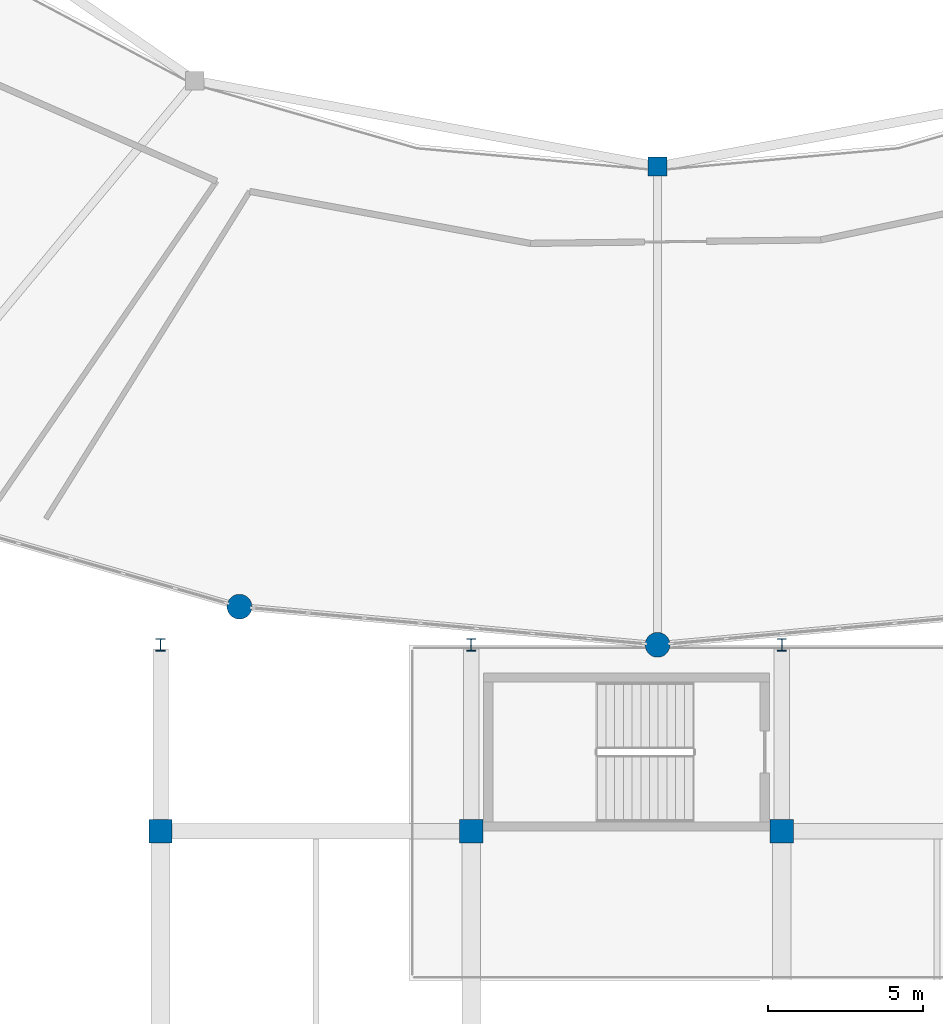
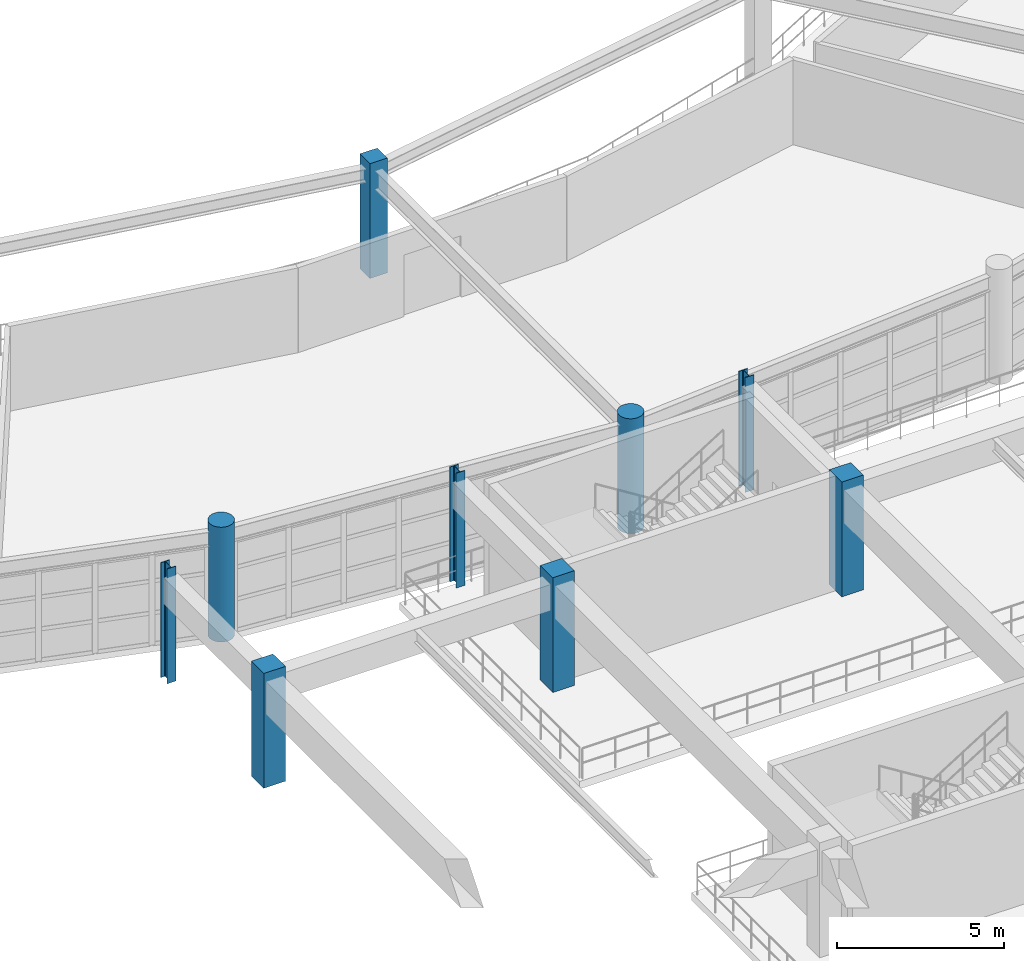
# One storey, part 5 of 100: 9 columns.
"""IFC4 building model written with IfcOpenShell, lengths in metres."""

from ifc_helpers import new_model, si_unit, direction, frame, origin, origin_2d, place, context, subcontext, project, spatial, rectangle, circle, i_section, extrude, material, material_profile, profile_set, type_object, element, save


model = new_model("IFC4")

# Units and contexts
model_context = context("Model", 3, precision=1e-05, world=origin(), true_north=direction((0.0, 1.0)))
body_context = subcontext(model_context, "Body", "Model", "MODEL_VIEW")
ifc_project = project(units=[si_unit("LENGTHUNIT", "METRE"), si_unit("AREAUNIT", "SQUARE_METRE"), si_unit("VOLUMEUNIT", "CUBIC_METRE"), si_unit("PLANEANGLEUNIT", "RADIAN"), si_unit("MASSUNIT", "GRAM", prefix="KILO")], contexts=[model_context])

# Site, building, storey
site_placement = place(None, origin())
site = spatial("IfcSite", under=ifc_project, at=site_placement, CompositionType="ELEMENT")
building_placement = place(site_placement, origin())
building = spatial("IfcBuilding", under=site, at=building_placement, Name="Kivolera Central Railway Station", CompositionType="ELEMENT")
storey_placement = place(building_placement, frame((0.0, 0.0, 5.39990234375)))
storey = spatial("IfcBuildingStorey", under=building, at=storey_placement, Name="L01", CompositionType="ELEMENT", Elevation=5.39990234375)

# Columns
ifc_material_1 = material(Name="Concrete C40/50", Category="concrete")
ifc_material_profile_1 = material_profile(ifc_material_1, rectangle(XDim=0.60009765625, YDim=0.60009765625, at=origin_2d()), Name="RC 600x600")
ifc_profile_set_1 = profile_set([ifc_material_profile_1], Name="Concrete C40/50")
column_type_1 = type_object("IfcColumnType", Name="COL-RC-600", PredefinedType="COLUMN", material=ifc_profile_set_1)
column_placement = place(storey_placement, frame((64.0, 69.39990234375, 0.0), z_axis=(0.0, 0.0, 1.0), x_axis=(1.0, 0.0, 0.0)))
element("IfcColumn", 1, at=column_placement, inside=storey, type_object=column_type_1, Name="L01 Oval Gallery Column I10", PredefinedType="COLUMN", context=body_context, shape_type="SweptSolid", body=[
    extrude(rectangle(XDim=0.60009765625, YDim=0.60009765625, at=origin_2d()), origin(), (0.0, 0.0, 1.0), 4.2001953125),
])
ifc_material_profile_2 = material_profile(ifc_material_1, rectangle(XDim=0.75, YDim=0.75, at=origin_2d()), Name="RC 750x750")
ifc_profile_set_2 = profile_set([ifc_material_profile_2], Name="Concrete C40/50")
column_type_2 = type_object("IfcColumnType", Name="COL-RC-750", PredefinedType="COLUMN", material=ifc_profile_set_2)
for number, where, z_axis, x_axis, name in (
    (2, (48.0, 48.0, 0.0), (0.0, 0.0, 1.0), (1.0, 0.0, 0.0), "L01 Train Shed Column 5-D"),
    (3, (58.0, 48.0, 0.0), (0.0, 0.0, 1.0), (1.0, 0.0, 0.0), "L01 Train Shed Column 6-D"),
    (4, (68.0, 48.0, 0.0), (0.0, 0.0, 1.0), (1.0, 0.0, 0.0), "L01 Train Shed Column 7-D"),
):
    element("IfcColumn", number, at=place(storey_placement, frame(where, z_axis=z_axis, x_axis=x_axis)), inside=storey, type_object=column_type_2, Name=name, PredefinedType="COLUMN", context=body_context, shape_type="SweptSolid", body=[
        extrude(rectangle(XDim=0.75, YDim=0.75, at=origin_2d()), origin(), (0.0, 0.0, 1.0), 4.2001953125),
    ])
ifc_material_profile_3 = material_profile(ifc_material_1, circle(Radius=0.39990234375, at=origin_2d()), Name="RC D800")
ifc_profile_set_3 = profile_set([ifc_material_profile_3], Name="Concrete C40/50")
column_type_3 = type_object("IfcColumnType", Name="COL-RC-D800", PredefinedType="COLUMN", material=ifc_profile_set_3)
for number, where, z_axis, x_axis, name in (
    (5, (50.541015625, 55.22705078125, 0.0), (0.0, 0.0, 1.0), (1.0, 0.0, 0.0), "L01 Oval Drum Perimeter Column P18"),
    (6, (64.0, 54.0, 0.0), (0.0, 0.0, 1.0), (1.0, 0.0, 0.0), "L01 Oval Drum Perimeter Column P19"),
):
    element("IfcColumn", number, at=place(storey_placement, frame(where, z_axis=z_axis, x_axis=x_axis)), inside=storey, type_object=column_type_3, Name=name, PredefinedType="COLUMN", context=body_context, shape_type="SweptSolid", body=[
        extrude(circle(Radius=0.39990234375, at=origin_2d()), origin(), (0.0, 0.0, 1.0), 4.2001953125),
    ])
ifc_material_2 = material(Name="Steel S355", Category="steel")
ifc_material_profile_4 = material_profile(ifc_material_2, i_section(OverallWidth=0.300048828125, OverallDepth=0.39990234375, WebThickness=0.013427734375, FlangeThickness=0.02392578125, FilletRadius=0.027099609375, at=origin_2d()), Name="HEB 400")
ifc_profile_set_4 = profile_set([ifc_material_profile_4], Name="Steel S355")
column_type_4 = type_object("IfcColumnType", Name="COL-STL-HEB400", PredefinedType="COLUMN", material=ifc_profile_set_4)
for number, where, z_axis, x_axis, name in (
    (7, (48.0, 54.0, 0.0), (0.0, 0.0, 1.0), (1.0, 0.0, 0.0), "L01 Train Shed Threshold Column 5-E"),
    (8, (58.0, 54.0, 0.0), (0.0, 0.0, 1.0), (1.0, 0.0, 0.0), "L01 Train Shed Threshold Column 6-E"),
    (9, (68.0, 54.0, 0.0), (0.0, 0.0, 1.0), (1.0, 0.0, 0.0), "L01 Train Shed Threshold Column 7-E"),
):
    element("IfcColumn", number, at=place(storey_placement, frame(where, z_axis=z_axis, x_axis=x_axis)), inside=storey, type_object=column_type_4, Name=name, PredefinedType="COLUMN", context=body_context, shape_type="SweptSolid", body=[
        extrude(i_section(OverallWidth=0.300048828125, OverallDepth=0.39990234375, WebThickness=0.013427734375, FlangeThickness=0.02392578125, FilletRadius=0.027099609375, at=origin_2d()), origin(), (0.0, 0.0, 1.0), 4.2001953125),
    ])

save(model, "model.ifc")
